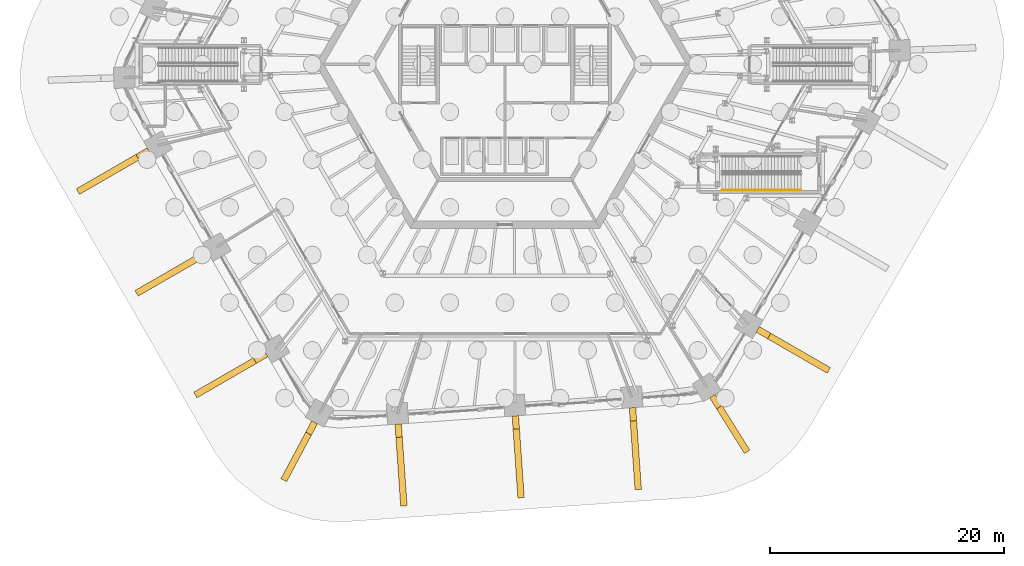
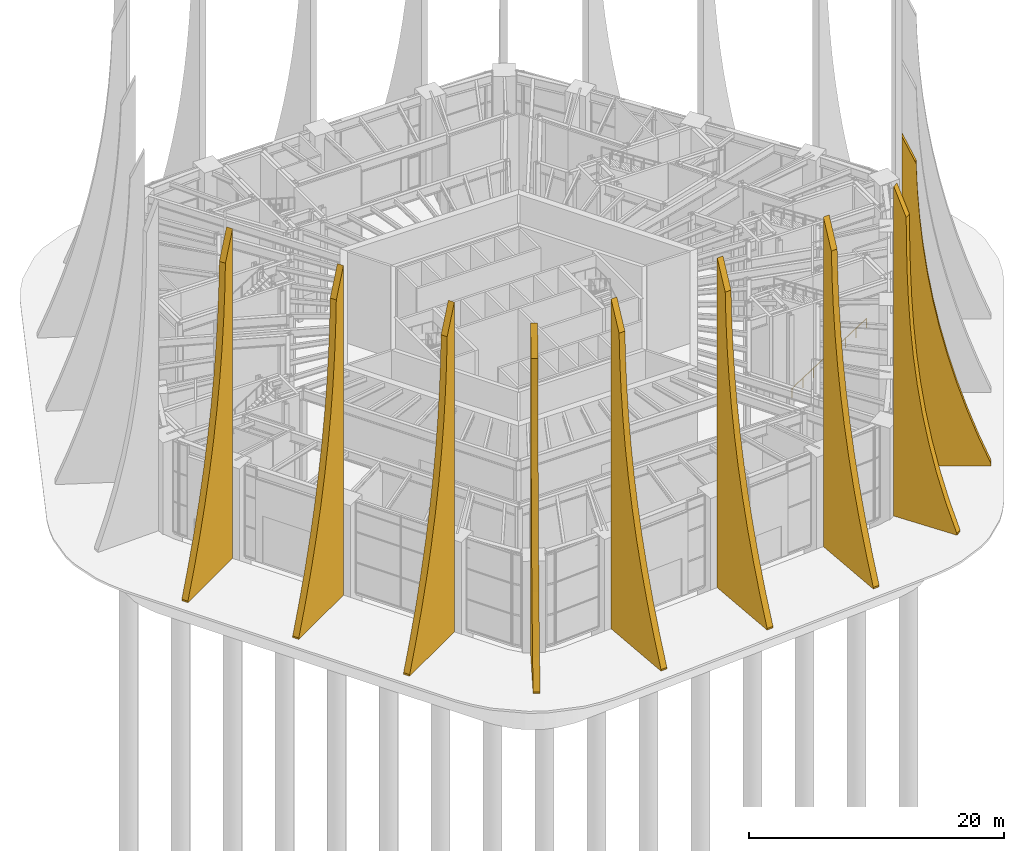
# One storey, part 32 of 43: 9 shading devices, 1 railing.
"""IFC4 building model written with IfcOpenShell, lengths in metres."""

from ifc_helpers import new_model, si_unit, direction, frame, origin, origin_2d, place, context, subcontext, project, spatial, polyline, circle, outline, extrude, material, layer, layer_set, type_object, element, save


model = new_model("IFC4")

# Units and contexts
model_context = context("Model", 3, precision=1e-05, world=origin(), true_north=direction((0.0, 1.0)))
body_context = subcontext(model_context, "Body", "Model", "MODEL_VIEW")
ifc_project = project(units=[si_unit("LENGTHUNIT", "METRE"), si_unit("AREAUNIT", "SQUARE_METRE"), si_unit("VOLUMEUNIT", "CUBIC_METRE"), si_unit("PLANEANGLEUNIT", "RADIAN"), si_unit("MASSUNIT", "GRAM", prefix="KILO")], contexts=[model_context])

# Site, building, storey
site_placement = place(None, origin())
site = spatial("IfcSite", under=ifc_project, at=site_placement, CompositionType="ELEMENT")
building_placement = place(site_placement, origin())
building = spatial("IfcBuilding", under=site, at=building_placement, Name="Tarnside Tower", CompositionType="ELEMENT")
storey_placement = place(building_placement, origin())
storey = spatial("IfcBuildingStorey", under=building, at=storey_placement, Name="L00", CompositionType="ELEMENT", Elevation=0.0)

# Shading devices
ifc_material_1 = material(Name="Concrete C50/60 white precast", Category="concrete")
ifc_layer_1 = layer(ifc_material_1, 0.550048828125)
ifc_layer_set_1 = layer_set([ifc_layer_1], Name="Flared precast fin root 5600")
shading_device_type_1 = type_object("IfcShadingDeviceType", Name="Flared precast fin root 5600", PredefinedType="USERDEFINED", material=ifc_layer_set_1)
for number, where, z_axis, x_axis, name in (
    (1, (-16.24609375, -30.554443359375, 0.0), (-0.882947592859, 0.469471562786, 0.0), (-0.469471562786, -0.882947592859, 0.0), "Flared fin root M12"),
    (2, (17.702392578125, -28.32958984375, 0.0), (-0.848048096156, -0.529919264233, 0.0), (0.529919264233, -0.848048096156, 0.0), "Flared fin root M16"),
):
    element("IfcShadingDevice", number, at=place(storey_placement, frame(where, z_axis=z_axis, x_axis=x_axis)), inside=storey, type_object=shading_device_type_1, Name=name, ObjectType="FIN", PredefinedType="USERDEFINED", context=body_context, shape_type="SweptSolid", body=[
        extrude(outline(polyline([(0.0, 0.0), (5.60009765625, 0.0), (5.60009765625, 0.14990234375), (4.62255859375, 2.762451171875), (3.793701171875, 5.375), (3.102294921875, 7.987548828125), (2.537353515625, 10.60009765625), (2.0869140625, 13.21240234375), (1.739501953125, 15.824951171875), (1.48291015625, 18.4375), (1.30419921875, 21.050048828125), (1.19091796875, 23.66259765625), (1.12890625, 26.27490234375), (1.10400390625, 28.887451171875), (0.0, 31.5), (0.0, 0.0)])), frame((0.0, 0.0, -0.27490234375)), (0.0, 0.0, 1.0), 0.550048828125),
    ])
ifc_layer_2 = layer(ifc_material_1, 0.550048828125)
ifc_layer_set_2 = layer_set([ifc_layer_2], Name="Flared precast fin root 7000")
shading_device_type_2 = type_object("IfcShadingDeviceType", Name="Flared precast fin root 7000", PredefinedType="USERDEFINED", material=ifc_layer_set_2)
for number, where, z_axis, x_axis, name in (
    (3, (-30.386962890625, -7.3681640625, 0.0), (-0.5, 0.866025403784, 0.0), (-0.866025403784, -0.5, 0.0), "Flared fin root M09"),
    (4, (-25.375244140625, -16.048828125, 0.0), (-0.5, 0.866025403784, 0.0), (-0.866025403784, -0.5, 0.0), "Flared fin root M10"),
    (5, (-20.36328125, -24.7294921875, 0.0), (-0.5, 0.866025403784, 0.0), (-0.866025403784, -0.5, 0.0), "Flared fin root M11"),
    (6, (-9.11474609375, -30.710693359375, 0.0), (-0.99756405026, -0.069756473744, 0.0), (0.069756473744, -0.99756405026, 0.0), "Flared fin root M13"),
    (7, (0.884521484375, -30.011474609375, 0.0), (-0.99756405026, -0.069756473744, 0.0), (0.069756473744, -0.99756405026, 0.0), "Flared fin root M14"),
    (8, (10.8837890625, -29.312255859375, 0.0), (-0.99756405026, -0.069756473744, 0.0), (0.069756473744, -0.99756405026, 0.0), "Flared fin root M15"),
    (9, (21.574462890625, -22.6318359375, 0.0), (-0.5, -0.866025403784, 0.0), (0.866025403784, -0.5, 0.0), "Flared fin root M17"),
):
    element("IfcShadingDevice", number, at=place(storey_placement, frame(where, z_axis=z_axis, x_axis=x_axis)), inside=storey, type_object=shading_device_type_2, Name=name, ObjectType="FIN", PredefinedType="USERDEFINED", context=body_context, shape_type="SweptSolid", body=[
        extrude(outline(polyline([(0.0, 0.0), (7.0, 0.0), (7.0, 0.14990234375), (5.99462890625, 2.762451171875), (5.089111328125, 5.375), (4.281494140625, 7.987548828125), (3.57080078125, 10.60009765625), (2.954833984375, 13.21240234375), (2.432373046875, 15.824951171875), (2.000732421875, 18.4375), (1.657958984375, 21.050048828125), (1.40087890625, 23.66259765625), (1.22607421875, 26.27490234375), (1.12841796875, 28.887451171875), (0.0, 31.5), (0.0, 0.0)])), frame((0.0, 0.0, -0.27490234375)), (0.0, 0.0, 1.0), 0.550048828125),
    ])

# Railing
ifc_material_2 = material(Name="Stainless steel", Category="steel")
railing_type = type_object("IfcRailingType", Name="Podium stair handrail 900", PredefinedType="HANDRAIL", material=ifc_material_2)
railing_placement = place(storey_placement, frame((18.5400390625, -10.72509765625, 0.179931640625)))
element("IfcRailing", 10, at=railing_placement, inside=storey, type_object=railing_type, Name="L00 PS5 stair handrail 1", PredefinedType="HANDRAIL", context=body_context, shape_type="SweptSolid", body=[
    extrude(circle(Radius=0.02392578125, at=origin_2d()), frame((0.0, 0.0, 0.8857421875), z_axis=(0.841173510664, 0.0, 0.540765314122), x_axis=(0.0, 1.0, 0.0)), (0.0, 0.0, 1.0), 7.98876953125),
    extrude(circle(Radius=0.02099609375, at=origin_2d()), origin(), (0.0, 0.0, 1.0), 0.86181640625),
    extrude(circle(Radius=0.02099609375, at=origin_2d()), frame((0.9599609375, 0.0, 0.6171875)), (0.0, 0.0, 1.0), 0.86181640625),
    extrude(circle(Radius=0.02099609375, at=origin_2d()), frame((1.919921875, 0.0, 1.234375)), (0.0, 0.0, 1.0), 0.86181640625),
    extrude(circle(Radius=0.02099609375, at=origin_2d()), frame((2.8798828125, 0.0, 1.8515625)), (0.0, 0.0, 1.0), 0.86181640625),
    extrude(circle(Radius=0.02099609375, at=origin_2d()), frame((3.840087890625, 0.0, 2.468505859375)), (0.0, 0.0, 1.0), 0.86181640625),
    extrude(circle(Radius=0.02099609375, at=origin_2d()), frame((4.800048828125, 0.0, 3.085693359375)), (0.0, 0.0, 1.0), 0.86181640625),
    extrude(circle(Radius=0.02099609375, at=origin_2d()), frame((5.760009765625, 0.0, 3.702880859375)), (0.0, 0.0, 1.0), 0.86181640625),
    extrude(circle(Radius=0.02099609375, at=origin_2d()), frame((6.719970703125, 0.0, 4.320068359375)), (0.0, 0.0, 1.0), 0.86181640625),
])

save(model, "model.ifc")
